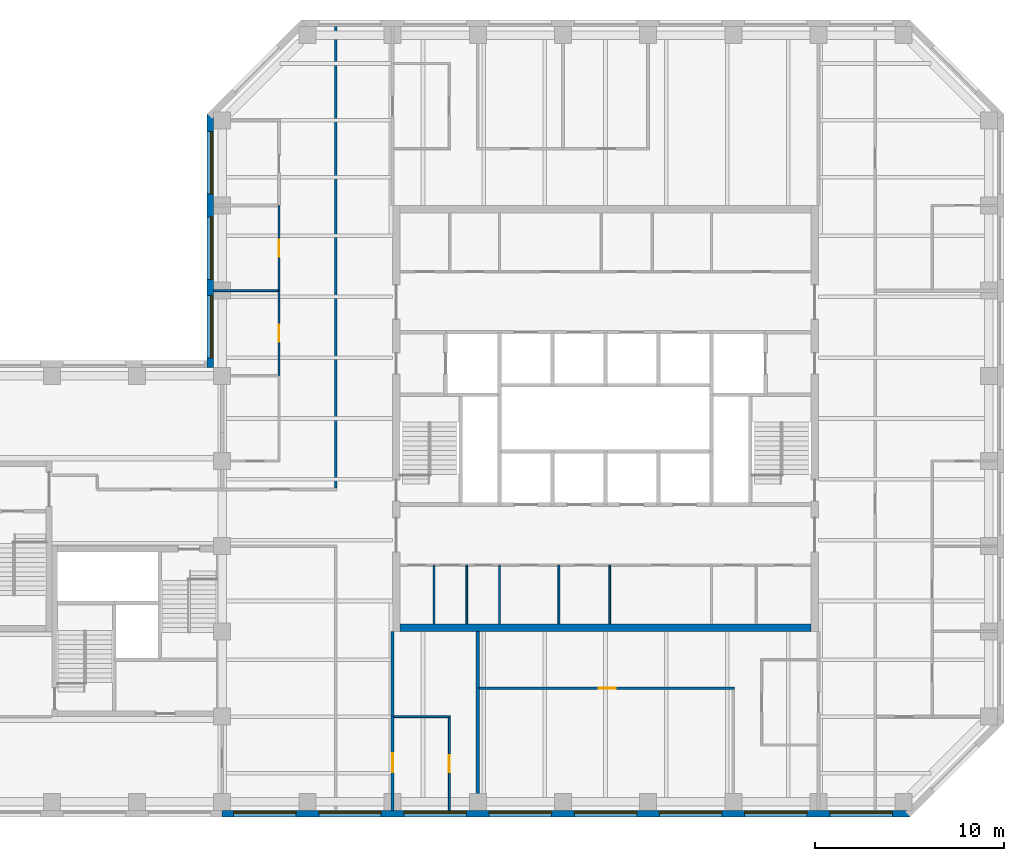
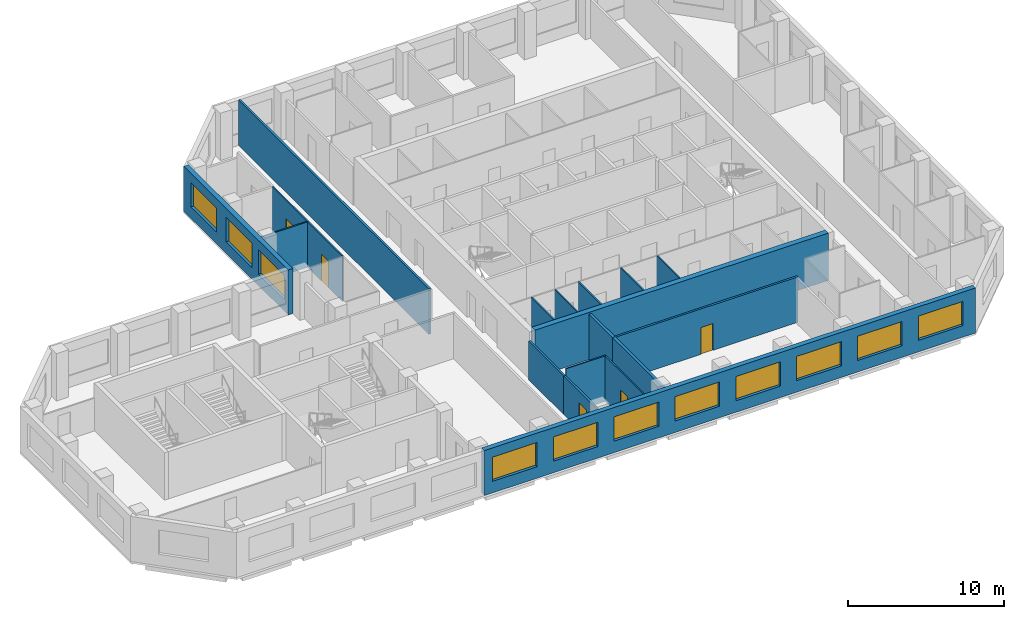
# One storey, part 4 of 10: 19 walls, 11 windows, 5 doors, 16 openings.
"""IFC4 building model written with IfcOpenShell, lengths in metres."""

import ifcopenshell
import ifcopenshell.guid

model = None  # the IFC model being written
_history = None  # IfcOwnerHistory: only IFC2X3 demands one
_inside = {}  # id of a spatial element -> (the spatial element, [elements in it])
_under = {}  # id of a project, library or spatial element -> (it, [spatial elements below it])
_declared = {}  # id of a project -> (the project, [libraries it declares])
_typed = {}  # id of a type object -> (the type object, [elements of that type])
_made_of = {}  # id of a material, layer set ... -> (it, [elements and type objects made of it])


def new_model(schema):
    """Start an empty IFC model of exactly this schema.

    Asked for "IFC4X3", IfcOpenShell would pick the latest addendum, in which some entities
    have other attributes; the version numbers below select the first issue.
    IFC2X3 requires an IfcOwnerHistory on every rooted entity: one is made here for all.
    """
    global model, _history
    if schema == "IFC4X3":
        model = ifcopenshell.file(schema_version=(4, 3, 0, 0))
    else:
        model = ifcopenshell.file(schema=schema)
    _inside.clear()
    _under.clear()
    _declared.clear()
    _typed.clear()
    _made_of.clear()
    _history = None
    if model.schema == "IFC2X3":
        org = make("IfcOrganization", Name="unknown")
        user = make(
            "IfcPersonAndOrganization",
            ThePerson=make("IfcPerson", FamilyName="unknown"),
            TheOrganization=org,
        )
        app = make(
            "IfcApplication",
            ApplicationDeveloper=org,
            Version="unknown",
            ApplicationFullName="unknown",
            ApplicationIdentifier="unknown",
        )
        _history = make(
            "IfcOwnerHistory",
            OwningUser=user,
            OwningApplication=app,
            ChangeAction="ADDED",
            CreationDate=0,
        )
    return model


def make(cls, **values):
    """One entity of the class cls with the attributes given. An attribute that is None is left unset."""
    return model.create_entity(
        cls, **{name: value for name, value in values.items() if value is not None}
    )


def rooted(cls, **values):
    """An entity with a GlobalId (a new one), such as an element, a storey or a relation."""
    return make(cls, GlobalId=ifcopenshell.guid.new(), OwnerHistory=_history, **values)


def si_unit(unit_type, name, prefix=None):
    """IfcSIUnit, for example si_unit("LENGTHUNIT", "METRE", prefix="MILLI")."""
    return make("IfcSIUnit", UnitType=unit_type, Prefix=prefix, Name=name)


def assignment(units):
    """IfcUnitAssignment: the units of a project."""
    return None if units is None else make("IfcUnitAssignment", Units=units)


def point(xyz):
    """IfcCartesianPoint."""
    return None if xyz is None else make("IfcCartesianPoint", Coordinates=xyz)


def direction(xyz):
    """IfcDirection."""
    return None if xyz is None else make("IfcDirection", DirectionRatios=xyz)


def frame(location, z_axis=None, x_axis=None):
    """IfcAxis2Placement3D, a coordinate frame: its origin and axes. An axis left out is left unset."""
    return make(
        "IfcAxis2Placement3D",
        Location=point(location),
        Axis=direction(z_axis),
        RefDirection=direction(x_axis),
    )


def frame_2d(location, x_axis=None):
    """IfcAxis2Placement2D, a coordinate frame in the plane: its origin and x axis."""
    return make(
        "IfcAxis2Placement2D", Location=point(location), RefDirection=direction(x_axis)
    )


def origin():
    """The frame at (0, 0, 0) with its axes left unset."""
    return frame((0.0, 0.0, 0.0))


def place(relative_to, where):
    """IfcLocalPlacement: puts the frame where relative to a parent placement (None: the world)."""
    return make(
        "IfcLocalPlacement", PlacementRelTo=relative_to, RelativePlacement=where
    )


def context(
    kind, dimensions, precision=None, world=None, true_north=None, identifier=None
):
    """IfcGeometricRepresentationContext, for example the 3D "Model" context."""
    return make(
        "IfcGeometricRepresentationContext",
        ContextIdentifier=identifier,
        ContextType=kind,
        CoordinateSpaceDimension=dimensions,
        Precision=precision,
        WorldCoordinateSystem=world,
        TrueNorth=true_north,
    )


def subcontext(parent, identifier, kind, view, scale=None):
    """IfcGeometricRepresentationSubContext, for example "Body" below "Model"."""
    return make(
        "IfcGeometricRepresentationSubContext",
        ContextIdentifier=identifier,
        ContextType=kind,
        ParentContext=parent,
        TargetScale=scale,
        TargetView=view,
    )


def project(units=None, contexts=None):
    """IfcProject with its units and contexts."""
    return rooted(
        "IfcProject",
        Name="project",
        RepresentationContexts=contexts,
        UnitsInContext=assignment(units),
    )


def spatial(cls, under=None, at=None, **own):
    """A site, building, storey or space (cls), placed at a placement, below another one or the project."""
    s = rooted(cls, ObjectPlacement=at, **own)
    if under is not None:
        _under.setdefault(under.id(), (under, []))[1].append(s)
    return s


def profile(cls, at=None, kind="AREA", **sizes):
    """A parametric profile (cls). Its sizes go by their IFC names, for example OverallWidth=200.0."""
    return make(cls, ProfileType=kind, Position=at, **sizes)


def rectangle(**sizes):
    """IfcRectangleProfileDef."""
    return profile("IfcRectangleProfileDef", **sizes)


def extrude(swept, where, along, depth):
    """IfcExtrudedAreaSolid: the profile swept, set in the frame where, extruded along a direction by depth."""
    return make(
        "IfcExtrudedAreaSolid",
        SweptArea=swept,
        Position=where,
        ExtrudedDirection=direction(along),
        Depth=depth,
    )


def shape(context_of_items, identifier, shape_type, items):
    """IfcShapeRepresentation: the items that make up one representation, for example the "Body"."""
    return make(
        "IfcShapeRepresentation",
        ContextOfItems=context_of_items,
        RepresentationIdentifier=identifier,
        RepresentationType=shape_type,
        Items=items,
    )


def material(Name=None, Category=None):
    """IfcMaterial."""
    return make("IfcMaterial", Name=Name, Category=Category)


def layer(
    of_material, thickness, ventilated=None, Name=None, Category=None, Priority=None
):
    """IfcMaterialLayer: one layer of a wall or slab, of a material (None: an air gap)."""
    return make(
        "IfcMaterialLayer",
        Material=of_material,
        LayerThickness=thickness,
        IsVentilated=ventilated,
        Name=Name,
        Category=Category,
        Priority=Priority,
    )


def layer_set(layers, Name=None):
    """IfcMaterialLayerSet."""
    return make("IfcMaterialLayerSet", MaterialLayers=layers, LayerSetName=Name)


def constituent(of_material, Name=None, Category=None, fraction=None):
    """IfcMaterialConstituent: one of the materials an element consists of."""
    return make(
        "IfcMaterialConstituent",
        Name=Name,
        Material=of_material,
        Fraction=fraction,
        Category=Category,
    )


def constituent_set(constituents=None, Name=None):
    """IfcMaterialConstituentSet."""
    return make(
        "IfcMaterialConstituentSet", Name=Name, MaterialConstituents=constituents
    )


def made_of(thing, what):
    """Note that an element or type object is made of a material, layer set ...; save() writes the relation."""
    if what is not None:
        _made_of.setdefault(what.id(), (what, []))[1].append(thing)
    return thing


def type_object(cls, material=None, **own):
    """A type object (cls), such as IfcWallType, which elements share."""
    return made_of(rooted(cls, **own), material)


def element(
    cls,
    number,
    at=None,
    inside=None,
    cuts=None,
    type_object=None,
    material=None,
    context=None,
    identifier="Body",
    shape_type=None,
    held_by="IfcProductDefinitionShape",
    body=None,
    shapes=None,
    **own,
):
    """One element of the class cls, such as IfcWall. Its Tag is "e" and its number.

    at: its placement. inside: the storey or other place that contains it. cuts: it is an
    opening in that element (IfcRelVoidsElement). A single representation is given by context,
    identifier, shape_type and body (its items); several are given by shapes. held_by: the class
    of the entity that holds the representations. save() writes the other relations.
    """
    e = rooted(cls, Tag="e%d" % number, ObjectPlacement=at, **own)
    if body is not None:
        shapes = [shape(context, identifier, shape_type, body)]
    if shapes is not None:
        e.Representation = make(held_by, Representations=shapes)
    if inside is not None:
        _inside.setdefault(inside.id(), (inside, []))[1].append(e)
    if cuts is not None:
        rooted(
            "IfcRelVoidsElement", RelatingBuildingElement=cuts, RelatedOpeningElement=e
        )
    if type_object is not None:
        _typed.setdefault(type_object.id(), (type_object, []))[1].append(e)
    return made_of(e, material)


def fill(opening, filler):
    """IfcRelFillsElement: the door or window that sits in an opening."""
    return rooted(
        "IfcRelFillsElement",
        RelatingOpeningElement=opening,
        RelatedBuildingElement=filler,
    )


def aggregate(whole, parts):
    """IfcRelAggregates: a whole, such as a stair, and the parts it consists of."""
    return rooted("IfcRelAggregates", RelatingObject=whole, RelatedObjects=parts)


def save(model, path):
    """Write the relations noted so far, then the file.

    IfcRelAggregates (storeys below a building ...), IfcRelContainedInSpatialStructure (elements
    in a storey), IfcRelDefinesByType, IfcRelAssociatesMaterial and IfcRelDeclares: one each for
    every whole, place, type object, material and project.
    """
    for whole, parts in _under.values():
        aggregate(whole, parts)
    for where, things in _inside.values():
        rooted(
            "IfcRelContainedInSpatialStructure",
            RelatedElements=things,
            RelatingStructure=where,
        )
    for kind, things in _typed.values():
        rooted("IfcRelDefinesByType", RelatedObjects=things, RelatingType=kind)
    for what, things in _made_of.values():
        rooted("IfcRelAssociatesMaterial", RelatedObjects=things, RelatingMaterial=what)
    for by, libraries in _declared.values():
        rooted("IfcRelDeclares", RelatingContext=by, RelatedDefinitions=libraries)
    model.write(path)


model = new_model("IFC4")

# Units and contexts
model_context = context("Model", 3, precision=1e-05, world=origin(), true_north=direction((0.0, 1.0)))
body_context = subcontext(model_context, "Body", "Model", "MODEL_VIEW")
ifc_project = project(units=[si_unit("LENGTHUNIT", "METRE"), si_unit("AREAUNIT", "SQUARE_METRE"), si_unit("VOLUMEUNIT", "CUBIC_METRE"), si_unit("PLANEANGLEUNIT", "RADIAN"), si_unit("MASSUNIT", "GRAM", prefix="KILO")], contexts=[model_context])

# Site, building, storey
site_placement = place(None, origin())
site = spatial("IfcSite", under=ifc_project, at=site_placement, CompositionType="ELEMENT")
building_placement = place(site_placement, origin())
building = spatial("IfcBuilding", under=site, at=building_placement, Name="Quoin Convention Tower", CompositionType="ELEMENT")
storey_placement = place(building_placement, frame((0.0, 0.0, 256.300048828125)))
storey = spatial("IfcBuildingStorey", under=building, at=storey_placement, Name="L67", CompositionType="ELEMENT", Elevation=256.300048828125)

# Wall, opening, door
ifc_material_1 = material(Name="Plasterboard")
ifc_layer_1 = layer(ifc_material_1, 0.012451171875, Name="Finish")
ifc_material_2 = material(Name="Steel stud framing", Category="steel")
ifc_layer_2 = layer(ifc_material_2, 0.125, Name="Structure")
ifc_layer_3 = layer(ifc_material_1, 0.012451171875, Name="Finish")
ifc_layer_set_1 = layer_set([ifc_layer_1, ifc_layer_2, ifc_layer_3], Name="Steel stud framing")
wall_type_1 = type_object("IfcWallType", Name="Acoustic partition 150", PredefinedType="PARTITIONING", material=ifc_layer_set_1)
wall_1_placement = place(storey_placement, frame((49.60009765625, 46.5, 0.0), z_axis=(0.0, 0.0, 1.0), x_axis=(1.0, 0.0, 0.0)))
wall_1 = element("IfcWall", 1, at=wall_1_placement, inside=storey, type_object=wall_type_1, Name="pw-L67-008", PredefinedType="PARTITIONING", context=body_context, shape_type="SweptSolid", body=[
    extrude(rectangle(XDim=13.474853515625, YDim=0.14990234375, at=frame_2d((6.7373046875, 0.0))), origin(), (0.0, 0.0, 1.0), 3.550048828125),
])
opening_1_placement = place(wall_1_placement, frame((6.300048828125, 0.0, 0.0)))
opening_1 = element("IfcOpeningElement", 2, at=opening_1_placement, cuts=wall_1, Name="Opening DOHX-02", PredefinedType="OPENING", context=body_context, shape_type="SweptSolid", body=[
    extrude(rectangle(XDim=0.89990234375, YDim=2.10009765625, at=frame_2d((0.449951171875, 1.050048828125))), frame((0.0, 0.0849609375, 0.0), z_axis=(0.0, -1.0, 0.0), x_axis=(1.0, 0.0, 0.0)), (0.0, 0.0, 1.0), 0.169921875),
])
ifc_material_3 = material(Name="Steel door leaf", Category="steel")
door_type_1 = type_object("IfcDoorType", Name="Office door 900 x 2100", OperationType="SINGLE_SWING_RIGHT", PredefinedType="DOOR", material=ifc_material_3)
door_1_placement = place(opening_1_placement, frame((0.89990234375, 0.0, 0.0), z_axis=(0.0, 0.0, 1.0), x_axis=(-1.0, 0.0, 0.0)))
door_1 = element("IfcDoor", 3, at=door_1_placement, inside=storey, type_object=door_type_1, Name="dr-L67-20", OperationType="SINGLE_SWING_LEFT", OverallHeight=2.10009765625, OverallWidth=0.89990234375, PredefinedType="DOOR", context=body_context, shape_type="SweptSolid", body=[
    extrude(rectangle(XDim=0.89990234375, YDim=2.10009765625, at=frame_2d((0.449951171875, 1.050048828125))), frame((0.0, 0.02490234375, 0.0), z_axis=(0.0, -1.0, 0.0), x_axis=(1.0, 0.0, 0.0)), (0.0, 0.0, 1.0), 0.050048828125),
])
fill(opening_1, door_1)

# Wall, openings, windows
ifc_material_4 = material(Name="Brick masonry", Category="masonry")
ifc_layer_4 = layer(ifc_material_4, 0.35009765625)
ifc_layer_set_2 = layer_set([ifc_layer_4], Name="Brick masonry")
wall_type_2 = type_object("IfcWallType", Name="Brick facade wall", PredefinedType="STANDARD", material=ifc_layer_set_2)
wall_2_placement = place(storey_placement, frame((36.0, 39.875, 0.0), z_axis=(0.0, 0.0, 1.0), x_axis=(1.0, 0.0, 0.0)))
wall_2 = element("IfcWall", 4, at=wall_2_placement, inside=storey, type_object=wall_type_2, Name="fw-L67-36000_40500", PredefinedType="STANDARD", context=body_context, shape_type="SweptSolid", body=[
    extrude(rectangle(XDim=36.331298828125, YDim=0.35009765625, at=frame_2d((18.16552734375, 0.0))), origin(), (0.0, 0.0, 1.0), 3.52490234375),
])
opening_2_placement = place(wall_2_placement, frame((0.60009765625, 0.0, 0.89990234375)))
opening_2 = element("IfcOpeningElement", 5, at=opening_2_placement, cuts=wall_2, Name="Opening W-02", PredefinedType="OPENING", context=body_context, shape_type="SweptSolid", body=[
    extrude(rectangle(XDim=3.300048828125, YDim=1.89990234375, at=frame_2d((1.64990234375, 0.949951171875))), frame((0.0, 0.18505859375, 0.0), z_axis=(0.0, -1.0, 0.0), x_axis=(1.0, 0.0, 0.0)), (0.0, 0.0, 1.0), 0.3701171875),
])
opening_3_placement = place(wall_2_placement, frame((5.10009765625, 0.0, 0.89990234375)))
opening_3 = element("IfcOpeningElement", 6, at=opening_3_placement, cuts=wall_2, Name="Opening W-02", PredefinedType="OPENING", context=body_context, shape_type="SweptSolid", body=[
    extrude(rectangle(XDim=3.300048828125, YDim=1.89990234375, at=frame_2d((1.64990234375, 0.949951171875))), frame((0.0, 0.18505859375, 0.0), z_axis=(0.0, -1.0, 0.0), x_axis=(1.0, 0.0, 0.0)), (0.0, 0.0, 1.0), 0.3701171875),
])
opening_4_placement = place(wall_2_placement, frame((9.60009765625, 0.0, 0.89990234375)))
opening_4 = element("IfcOpeningElement", 7, at=opening_4_placement, cuts=wall_2, Name="Opening W-02", PredefinedType="OPENING", context=body_context, shape_type="SweptSolid", body=[
    extrude(rectangle(XDim=3.300048828125, YDim=1.89990234375, at=frame_2d((1.64990234375, 0.949951171875))), frame((0.0, 0.18505859375, 0.0), z_axis=(0.0, -1.0, 0.0), x_axis=(1.0, 0.0, 0.0)), (0.0, 0.0, 1.0), 0.3701171875),
])
opening_5_placement = place(wall_2_placement, frame((14.10009765625, 0.0, 0.89990234375)))
opening_5 = element("IfcOpeningElement", 8, at=opening_5_placement, cuts=wall_2, Name="Opening W-02", PredefinedType="OPENING", context=body_context, shape_type="SweptSolid", body=[
    extrude(rectangle(XDim=3.300048828125, YDim=1.89990234375, at=frame_2d((1.64990234375, 0.949951171875))), frame((0.0, 0.18505859375, 0.0), z_axis=(0.0, -1.0, 0.0), x_axis=(1.0, 0.0, 0.0)), (0.0, 0.0, 1.0), 0.3701171875),
])
opening_6_placement = place(wall_2_placement, frame((18.60009765625, 0.0, 0.89990234375)))
opening_6 = element("IfcOpeningElement", 9, at=opening_6_placement, cuts=wall_2, Name="Opening W-02", PredefinedType="OPENING", context=body_context, shape_type="SweptSolid", body=[
    extrude(rectangle(XDim=3.300048828125, YDim=1.89990234375, at=frame_2d((1.64990234375, 0.949951171875))), frame((0.0, 0.18505859375, 0.0), z_axis=(0.0, -1.0, 0.0), x_axis=(1.0, 0.0, 0.0)), (0.0, 0.0, 1.0), 0.3701171875),
])
opening_7_placement = place(wall_2_placement, frame((23.10009765625, 0.0, 0.89990234375)))
opening_7 = element("IfcOpeningElement", 10, at=opening_7_placement, cuts=wall_2, Name="Opening W-02", PredefinedType="OPENING", context=body_context, shape_type="SweptSolid", body=[
    extrude(rectangle(XDim=3.300048828125, YDim=1.89990234375, at=frame_2d((1.64990234375, 0.949951171875))), frame((0.0, 0.18505859375, 0.0), z_axis=(0.0, -1.0, 0.0), x_axis=(1.0, 0.0, 0.0)), (0.0, 0.0, 1.0), 0.3701171875),
])
opening_8_placement = place(wall_2_placement, frame((27.60009765625, 0.0, 0.89990234375)))
opening_8 = element("IfcOpeningElement", 11, at=opening_8_placement, cuts=wall_2, Name="Opening W-02", PredefinedType="OPENING", context=body_context, shape_type="SweptSolid", body=[
    extrude(rectangle(XDim=3.300048828125, YDim=1.89990234375, at=frame_2d((1.64990234375, 0.949951171875))), frame((0.0, 0.18505859375, 0.0), z_axis=(0.0, -1.0, 0.0), x_axis=(1.0, 0.0, 0.0)), (0.0, 0.0, 1.0), 0.3701171875),
])
opening_9_placement = place(wall_2_placement, frame((32.10009765625, 0.0, 0.89990234375)))
opening_9 = element("IfcOpeningElement", 12, at=opening_9_placement, cuts=wall_2, Name="Opening W-02", PredefinedType="OPENING", context=body_context, shape_type="SweptSolid", body=[
    extrude(rectangle(XDim=3.300048828125, YDim=1.89990234375, at=frame_2d((1.64990234375, 0.949951171875))), frame((0.0, 0.18505859375, 0.0), z_axis=(0.0, -1.0, 0.0), x_axis=(1.0, 0.0, 0.0)), (0.0, 0.0, 1.0), 0.3701171875),
])
ifc_material_5 = material(Name="Aluminium", Category="aluminium")
ifc_constituent_1 = constituent(ifc_material_5, Name="Frame")
ifc_material_6 = material(Name="Insulated glass", Category="glass")
ifc_constituent_2 = constituent(ifc_material_6, Name="Glazing")
ifc_constituent_set = constituent_set(constituents=[ifc_constituent_1, ifc_constituent_2], Name="Aluminium")
window_type = type_object("IfcWindowType", Name="Office window", PartitioningType="DOUBLE_PANEL_VERTICAL", PredefinedType="WINDOW", material=ifc_constituent_set)
window_1_placement = place(opening_2_placement, origin())
window_1 = element("IfcWindow", 13, at=window_1_placement, inside=storey, type_object=window_type, Name="win-L67-38250_39875", OverallHeight=1.89990234375, OverallWidth=3.300048828125, PartitioningType="SINGLE_PANEL", PredefinedType="WINDOW", context=body_context, shape_type="SweptSolid", body=[
    extrude(rectangle(XDim=3.300048828125, YDim=1.89990234375, at=frame_2d((1.64990234375, 0.949951171875))), frame((0.0, 0.0849609375, 0.0), z_axis=(0.0, -1.0, 0.0), x_axis=(1.0, 0.0, 0.0)), (0.0, 0.0, 1.0), 0.06005859375),
])
fill(opening_2, window_1)
window_2_placement = place(opening_3_placement, origin())
window_2 = element("IfcWindow", 14, at=window_2_placement, inside=storey, type_object=window_type, Name="win-L67-42750_39875", OverallHeight=1.89990234375, OverallWidth=3.300048828125, PartitioningType="SINGLE_PANEL", PredefinedType="WINDOW", context=body_context, shape_type="SweptSolid", body=[
    extrude(rectangle(XDim=3.300048828125, YDim=1.89990234375, at=frame_2d((1.64990234375, 0.949951171875))), frame((0.0, 0.0849609375, 0.0), z_axis=(0.0, -1.0, 0.0), x_axis=(1.0, 0.0, 0.0)), (0.0, 0.0, 1.0), 0.06005859375),
])
fill(opening_3, window_2)
window_3_placement = place(opening_4_placement, origin())
window_3 = element("IfcWindow", 15, at=window_3_placement, inside=storey, type_object=window_type, Name="win-L67-47250_39875", OverallHeight=1.89990234375, OverallWidth=3.300048828125, PartitioningType="SINGLE_PANEL", PredefinedType="WINDOW", context=body_context, shape_type="SweptSolid", body=[
    extrude(rectangle(XDim=3.300048828125, YDim=1.89990234375, at=frame_2d((1.64990234375, 0.949951171875))), frame((0.0, 0.0849609375, 0.0), z_axis=(0.0, -1.0, 0.0), x_axis=(1.0, 0.0, 0.0)), (0.0, 0.0, 1.0), 0.06005859375),
])
fill(opening_4, window_3)
window_4_placement = place(opening_5_placement, origin())
window_4 = element("IfcWindow", 16, at=window_4_placement, inside=storey, type_object=window_type, Name="win-L67-51750_39875", OverallHeight=1.89990234375, OverallWidth=3.300048828125, PartitioningType="SINGLE_PANEL", PredefinedType="WINDOW", context=body_context, shape_type="SweptSolid", body=[
    extrude(rectangle(XDim=3.300048828125, YDim=1.89990234375, at=frame_2d((1.64990234375, 0.949951171875))), frame((0.0, 0.0849609375, 0.0), z_axis=(0.0, -1.0, 0.0), x_axis=(1.0, 0.0, 0.0)), (0.0, 0.0, 1.0), 0.06005859375),
])
fill(opening_5, window_4)
window_5_placement = place(opening_6_placement, origin())
window_5 = element("IfcWindow", 17, at=window_5_placement, inside=storey, type_object=window_type, Name="win-L67-56250_39875", OverallHeight=1.89990234375, OverallWidth=3.300048828125, PartitioningType="SINGLE_PANEL", PredefinedType="WINDOW", context=body_context, shape_type="SweptSolid", body=[
    extrude(rectangle(XDim=3.300048828125, YDim=1.89990234375, at=frame_2d((1.64990234375, 0.949951171875))), frame((0.0, 0.0849609375, 0.0), z_axis=(0.0, -1.0, 0.0), x_axis=(1.0, 0.0, 0.0)), (0.0, 0.0, 1.0), 0.06005859375),
])
fill(opening_6, window_5)
window_6_placement = place(opening_7_placement, origin())
window_6 = element("IfcWindow", 18, at=window_6_placement, inside=storey, type_object=window_type, Name="win-L67-60750_39875", OverallHeight=1.89990234375, OverallWidth=3.300048828125, PartitioningType="SINGLE_PANEL", PredefinedType="WINDOW", context=body_context, shape_type="SweptSolid", body=[
    extrude(rectangle(XDim=3.300048828125, YDim=1.89990234375, at=frame_2d((1.64990234375, 0.949951171875))), frame((0.0, 0.0849609375, 0.0), z_axis=(0.0, -1.0, 0.0), x_axis=(1.0, 0.0, 0.0)), (0.0, 0.0, 1.0), 0.06005859375),
])
fill(opening_7, window_6)
window_7_placement = place(opening_8_placement, origin())
window_7 = element("IfcWindow", 19, at=window_7_placement, inside=storey, type_object=window_type, Name="win-L67-65250_39875", OverallHeight=1.89990234375, OverallWidth=3.300048828125, PartitioningType="SINGLE_PANEL", PredefinedType="WINDOW", context=body_context, shape_type="SweptSolid", body=[
    extrude(rectangle(XDim=3.300048828125, YDim=1.89990234375, at=frame_2d((1.64990234375, 0.949951171875))), frame((0.0, 0.0849609375, 0.0), z_axis=(0.0, -1.0, 0.0), x_axis=(1.0, 0.0, 0.0)), (0.0, 0.0, 1.0), 0.06005859375),
])
fill(opening_8, window_7)
window_8_placement = place(opening_9_placement, origin())
window_8 = element("IfcWindow", 20, at=window_8_placement, inside=storey, type_object=window_type, Name="win-L67-69750_39875", OverallHeight=1.89990234375, OverallWidth=3.300048828125, PartitioningType="SINGLE_PANEL", PredefinedType="WINDOW", context=body_context, shape_type="SweptSolid", body=[
    extrude(rectangle(XDim=3.300048828125, YDim=1.89990234375, at=frame_2d((1.64990234375, 0.949951171875))), frame((0.0, 0.0849609375, 0.0), z_axis=(0.0, -1.0, 0.0), x_axis=(1.0, 0.0, 0.0)), (0.0, 0.0, 1.0), 0.06005859375),
])
fill(opening_9, window_8)

wall_3_placement = place(storey_placement, frame((35.375, 76.831298828125, 0.0), z_axis=(0.0, 0.0, 1.0), x_axis=(0.0, -1.0, 0.0)))
wall_3 = element("IfcWall", 21, at=wall_3_placement, inside=storey, type_object=wall_type_2, Name="fw-L67-36000_76500", PredefinedType="STANDARD", context=body_context, shape_type="SweptSolid", body=[
    extrude(rectangle(XDim=13.38134765625, YDim=0.35009765625, at=frame_2d((6.690673828125, 0.0))), origin(), (0.0, 0.0, 1.0), 3.52490234375),
])
opening_10_placement = place(wall_3_placement, frame((0.931396484375, 0.0, 0.89990234375)))
opening_10 = element("IfcOpeningElement", 22, at=opening_10_placement, cuts=wall_3, Name="Opening W-02", PredefinedType="OPENING", context=body_context, shape_type="SweptSolid", body=[
    extrude(rectangle(XDim=3.300048828125, YDim=1.89990234375, at=frame_2d((1.64990234375, 0.949951171875))), frame((0.0, 0.18505859375, 0.0), z_axis=(0.0, -1.0, 0.0), x_axis=(1.0, 0.0, 0.0)), (0.0, 0.0, 1.0), 0.3701171875),
])
opening_11_placement = place(wall_3_placement, frame((5.431396484375, 0.0, 0.89990234375)))
opening_11 = element("IfcOpeningElement", 23, at=opening_11_placement, cuts=wall_3, Name="Opening W-02", PredefinedType="OPENING", context=body_context, shape_type="SweptSolid", body=[
    extrude(rectangle(XDim=3.300048828125, YDim=1.89990234375, at=frame_2d((1.64990234375, 0.949951171875))), frame((0.0, 0.18505859375, 0.0), z_axis=(0.0, -1.0, 0.0), x_axis=(1.0, 0.0, 0.0)), (0.0, 0.0, 1.0), 0.3701171875),
])
opening_12_placement = place(wall_3_placement, frame((9.581298828125, 0.0, 0.89990234375)))
opening_12 = element("IfcOpeningElement", 24, at=opening_12_placement, cuts=wall_3, Name="Opening W-02", PredefinedType="OPENING", context=body_context, shape_type="SweptSolid", body=[
    extrude(rectangle(XDim=3.300048828125, YDim=1.89990234375, at=frame_2d((1.64990234375, 0.949951171875))), frame((0.0, 0.18505859375, 0.0), z_axis=(0.0, -1.0, 0.0), x_axis=(1.0, 0.0, 0.0)), (0.0, 0.0, 1.0), 0.3701171875),
])
window_9_placement = place(opening_10_placement, origin())
window_9 = element("IfcWindow", 25, at=window_9_placement, inside=storey, type_object=window_type, Name="win-L67-35375_74250", OverallHeight=1.89990234375, OverallWidth=3.300048828125, PartitioningType="SINGLE_PANEL", PredefinedType="WINDOW", context=body_context, shape_type="SweptSolid", body=[
    extrude(rectangle(XDim=3.300048828125, YDim=1.89990234375, at=frame_2d((1.64990234375, 0.949951171875))), frame((0.0, 0.0849609375, 0.0), z_axis=(0.0, -1.0, 0.0), x_axis=(1.0, 0.0, 0.0)), (0.0, 0.0, 1.0), 0.06005859375),
])
fill(opening_10, window_9)
window_10_placement = place(opening_11_placement, origin())
window_10 = element("IfcWindow", 26, at=window_10_placement, inside=storey, type_object=window_type, Name="win-L67-35375_69750", OverallHeight=1.89990234375, OverallWidth=3.300048828125, PartitioningType="SINGLE_PANEL", PredefinedType="WINDOW", context=body_context, shape_type="SweptSolid", body=[
    extrude(rectangle(XDim=3.300048828125, YDim=1.89990234375, at=frame_2d((1.64990234375, 0.949951171875))), frame((0.0, 0.0849609375, 0.0), z_axis=(0.0, -1.0, 0.0), x_axis=(1.0, 0.0, 0.0)), (0.0, 0.0, 1.0), 0.06005859375),
])
fill(opening_11, window_10)
window_11_placement = place(opening_12_placement, origin())
window_11 = element("IfcWindow", 27, at=window_11_placement, inside=storey, type_object=window_type, Name="win-L67-35375_65250", OverallHeight=1.89990234375, OverallWidth=3.300048828125, PartitioningType="SINGLE_PANEL", PredefinedType="WINDOW", context=body_context, shape_type="SweptSolid", body=[
    extrude(rectangle(XDim=3.300048828125, YDim=1.89990234375, at=frame_2d((1.64990234375, 0.949951171875))), frame((0.0, 0.0849609375, 0.0), z_axis=(0.0, -1.0, 0.0), x_axis=(1.0, 0.0, 0.0)), (0.0, 0.0, 1.0), 0.06005859375),
])
fill(opening_12, window_11)

# Walls
ifc_layer_5 = layer(ifc_material_1, 0.012451171875, Name="Finish")
ifc_layer_6 = layer(ifc_material_2, 0.074951171875, Name="Structure")
ifc_layer_7 = layer(ifc_material_1, 0.012451171875, Name="Finish")
ifc_layer_set_3 = layer_set([ifc_layer_5, ifc_layer_6, ifc_layer_7], Name="Steel stud framing")
wall_type_3 = type_object("IfcWallType", Name="Core partition wall", PredefinedType="PARTITIONING", material=ifc_layer_set_3)
for number, where, z_axis, x_axis, name in (
    (28, (47.18505859375, 49.89990234375, 0.0), (0.0, 0.0, 1.0), (0.0, 1.0, 0.0), "cr-C1-L67-v2185_400"),
    (29, (48.91748046875, 49.89990234375, 0.0), (0.0, 0.0, 1.0), (0.0, 1.0, 0.0), "cr-C1-L67-v3918_400"),
    (30, (50.64990234375, 49.89990234375, 0.0), (0.0, 0.0, 1.0), (0.0, 1.0, 0.0), "cr-C1-L67-v5650_400"),
    (31, (53.785888671875, 49.89990234375, 0.0), (0.0, 0.0, 1.0), (0.0, 1.0, 0.0), "cr-C1-L67-v8786_400"),
    (32, (56.47412109375, 49.89990234375, 0.0), (0.0, 0.0, 1.0), (0.0, 1.0, 0.0), "cr-C1-L67-v11474_400"),
):
    element("IfcWall", number, at=place(storey_placement, frame(where, z_axis=z_axis, x_axis=x_axis)), inside=storey, type_object=wall_type_3, Name=name, PredefinedType="PARTITIONING", context=body_context, shape_type="SweptSolid", body=[
        extrude(rectangle(XDim=3.10009765625, YDim=0.10009765625, at=frame_2d((1.550048828125, 0.0))), origin(), (0.0, 0.0, 1.0), 3.550048828125),
    ])
ifc_layer_8 = layer(ifc_material_1, 0.012451171875, Name="Finish")
ifc_layer_9 = layer(ifc_material_2, 0.125, Name="Structure")
ifc_layer_10 = layer(ifc_material_1, 0.012451171875, Name="Finish")
ifc_layer_set_4 = layer_set([ifc_layer_8, ifc_layer_9, ifc_layer_10], Name="Steel stud framing")
wall_type_4 = type_object("IfcWallType", Name="Corridor wall 150", PredefinedType="PARTITIONING", material=ifc_layer_set_4)
wall_4_placement = place(storey_placement, frame((42.0, 57.074951171875, 0.0), z_axis=(0.0, 0.0, 1.0), x_axis=(0.0, 1.0, 0.0)))
element("IfcWall", 33, at=wall_4_placement, inside=storey, type_object=wall_type_4, Name="pw-L67-060", PredefinedType="PARTITIONING", context=body_context, shape_type="SweptSolid", body=[
    extrude(rectangle(XDim=24.375, YDim=0.14990234375, at=frame_2d((12.1875, 0.0))), origin(), (0.0, 0.0, 1.0), 3.550048828125),
])

# Wall, opening, door
ifc_layer_11 = layer(ifc_material_1, 0.012451171875, Name="Finish")
ifc_layer_12 = layer(ifc_material_2, 0.125, Name="Structure")
ifc_layer_13 = layer(ifc_material_1, 0.012451171875, Name="Finish")
ifc_layer_set_5 = layer_set([ifc_layer_11, ifc_layer_12, ifc_layer_13], Name="Steel stud framing")
wall_type_5 = type_object("IfcWallType", Name="Corridor wall 150 under beam 528", PredefinedType="PARTITIONING", material=ifc_layer_set_5)
wall_5_placement = place(storey_placement, frame((45.0, 40.050048828125, 0.0), z_axis=(0.0, 0.0, 1.0), x_axis=(0.0, 1.0, 0.0)))
wall_5 = element("IfcWall", 34, at=wall_5_placement, inside=storey, type_object=wall_type_5, Name="pw-L67-036", PredefinedType="PARTITIONING", context=body_context, shape_type="SweptSolid", body=[
    extrude(rectangle(XDim=4.949951171875, YDim=0.14990234375, at=frame_2d((2.47509765625, 0.0))), origin(), (0.0, 0.0, 1.0), 3.02197265625),
])
opening_13_placement = place(wall_5_placement, frame((2.0, 0.0, 0.0)))
opening_13 = element("IfcOpeningElement", 35, at=opening_13_placement, cuts=wall_5, Name="Opening DOHX-10", PredefinedType="OPENING", context=body_context, shape_type="SweptSolid", body=[
    extrude(rectangle(XDim=1.0, YDim=2.10009765625, at=frame_2d((0.5, 1.050048828125))), frame((0.0, 0.0849609375, 0.0), z_axis=(0.0, -1.0, 0.0), x_axis=(1.0, 0.0, 0.0)), (0.0, 0.0, 1.0), 0.169921875),
])
door_type_2 = type_object("IfcDoorType", Name="Tenancy entrance door 1000 x 2100", OperationType="DOUBLE_DOOR_SINGLE_SWING", PredefinedType="DOOR", material=ifc_material_3)
door_2_placement = place(opening_13_placement, frame((1.0, 0.0, 0.0), z_axis=(0.0, 0.0, 1.0), x_axis=(-1.0, 0.0, 0.0)))
door_2 = element("IfcDoor", 36, at=door_2_placement, inside=storey, type_object=door_type_2, Name="dr-L67-16", OperationType="DOUBLE_DOOR_SINGLE_SWING", OverallHeight=2.10009765625, OverallWidth=1.0, PredefinedType="DOOR", context=body_context, shape_type="SweptSolid", body=[
    extrude(rectangle(XDim=1.0, YDim=2.10009765625, at=frame_2d((0.5, 1.050048828125))), frame((0.0, 0.02490234375, 0.0), z_axis=(0.0, -1.0, 0.0), x_axis=(1.0, 0.0, 0.0)), (0.0, 0.0, 1.0), 0.050048828125),
])
fill(opening_13, door_2)

# Walls
wall_6_placement = place(storey_placement, frame((45.0, 45.0, 0.0), z_axis=(0.0, 0.0, 1.0), x_axis=(0.0, 1.0, 0.0)))
element("IfcWall", 37, at=wall_6_placement, inside=storey, type_object=wall_type_5, Name="pw-L67-046", PredefinedType="PARTITIONING", context=body_context, shape_type="SweptSolid", body=[
    extrude(rectangle(XDim=4.5, YDim=0.14990234375, at=frame_2d((2.25, 0.0))), origin(), (0.0, 0.0, 1.0), 3.02197265625),
])
ifc_material_7 = material(Name="Concrete C50", Category="concrete")
ifc_layer_14 = layer(ifc_material_7, 0.39990234375)
ifc_layer_set_6 = layer_set([ifc_layer_14], Name="Concrete C50")
wall_type_6 = type_object("IfcWallType", Name="RC CORE WALL 400 C50", PredefinedType="SHEAR", material=ifc_layer_set_6)
wall_7_placement = place(storey_placement, frame((45.39990234375, 49.699951171875, 0.0), z_axis=(0.0, 0.0, 1.0), x_axis=(1.0, 0.0, 0.0)))
element("IfcWall", 38, at=wall_7_placement, inside=storey, type_object=wall_type_6, Name="cwl-C1-L67-S", PredefinedType="SHEAR", context=body_context, shape_type="SweptSolid", body=[
    extrude(rectangle(XDim=21.7001953125, YDim=0.39990234375, at=frame_2d((10.85009765625, 0.0))), origin(), (0.0, 0.0, 1.0), 3.699951171875),
])
ifc_layer_15 = layer(ifc_material_1, 0.012451171875, Name="Finish")
ifc_layer_16 = layer(ifc_material_2, 0.074951171875, Name="Structure")
ifc_layer_17 = layer(ifc_material_1, 0.012451171875, Name="Finish")
ifc_layer_set_7 = layer_set([ifc_layer_15, ifc_layer_16, ifc_layer_17], Name="Steel stud framing")
wall_type_7 = type_object("IfcWallType", Name="Stud partition 100", PredefinedType="PARTITIONING", material=ifc_layer_set_7)
wall_8_placement = place(storey_placement, frame((45.074951171875, 45.0, 0.0), z_axis=(0.0, 0.0, 1.0), x_axis=(1.0, 0.0, 0.0)))
element("IfcWall", 39, at=wall_8_placement, inside=storey, type_object=wall_type_7, Name="pw-L67-004", PredefinedType="PARTITIONING", context=body_context, shape_type="SweptSolid", body=[
    extrude(rectangle(XDim=2.97509765625, YDim=0.10009765625, at=frame_2d((1.487548828125, 0.0))), origin(), (0.0, 0.0, 1.0), 3.550048828125),
])
wall_9_placement = place(storey_placement, frame((35.550048828125, 67.5, 0.0), z_axis=(0.0, 0.0, 1.0), x_axis=(1.0, 0.0, 0.0)))
element("IfcWall", 40, at=wall_9_placement, inside=storey, type_object=wall_type_7, Name="pw-L67-024", PredefinedType="PARTITIONING", context=body_context, shape_type="SweptSolid", body=[
    extrude(rectangle(XDim=3.39990234375, YDim=0.10009765625, at=frame_2d((1.699951171875, 0.0))), origin(), (0.0, 0.0, 1.0), 3.550048828125),
])

# Wall, opening, door
wall_10_placement = place(storey_placement, frame((48.0, 40.050048828125, 0.0), z_axis=(0.0, 0.0, 1.0), x_axis=(0.0, 1.0, 0.0)))
wall_10 = element("IfcWall", 41, at=wall_10_placement, inside=storey, type_object=wall_type_7, Name="pw-L67-037", PredefinedType="PARTITIONING", context=body_context, shape_type="SweptSolid", body=[
    extrude(rectangle(XDim=4.89990234375, YDim=0.10009765625, at=frame_2d((2.449951171875, 0.0))), origin(), (0.0, 0.0, 1.0), 3.550048828125),
])
opening_14_placement = place(wall_10_placement, frame((2.0, 0.0, 0.0)))
opening_14 = element("IfcOpeningElement", 42, at=opening_14_placement, cuts=wall_10, Name="Opening DOHX-11", PredefinedType="OPENING", context=body_context, shape_type="SweptSolid", body=[
    extrude(rectangle(XDim=0.89990234375, YDim=2.10009765625, at=frame_2d((0.449951171875, 1.050048828125))), frame((0.0, 0.06005859375, 0.0), z_axis=(0.0, -1.0, 0.0), x_axis=(1.0, 0.0, 0.0)), (0.0, 0.0, 1.0), 0.1201171875),
])
door_3_placement = place(opening_14_placement, frame((0.89990234375, 0.0, 0.0), z_axis=(0.0, 0.0, 1.0), x_axis=(-1.0, 0.0, 0.0)))
door_3 = element("IfcDoor", 43, at=door_3_placement, inside=storey, type_object=door_type_1, Name="dr-L67-17", OperationType="SINGLE_SWING_LEFT", OverallHeight=2.10009765625, OverallWidth=0.89990234375, PredefinedType="DOOR", context=body_context, shape_type="SweptSolid", body=[
    extrude(rectangle(XDim=0.89990234375, YDim=2.10009765625, at=frame_2d((0.449951171875, 1.050048828125))), frame((0.0, 0.02490234375, 0.0), z_axis=(0.0, -1.0, 0.0), x_axis=(1.0, 0.0, 0.0)), (0.0, 0.0, 1.0), 0.050048828125),
])
fill(opening_14, door_3)

wall_11_placement = place(storey_placement, frame((39.0, 63.0, 0.0), z_axis=(0.0, 0.0, 1.0), x_axis=(0.0, 1.0, 0.0)))
wall_11 = element("IfcWall", 44, at=wall_11_placement, inside=storey, type_object=wall_type_7, Name="pw-L67-068", PredefinedType="PARTITIONING", context=body_context, shape_type="SweptSolid", body=[
    extrude(rectangle(XDim=4.5, YDim=0.10009765625, at=frame_2d((2.25, 0.0))), origin(), (0.0, 0.0, 1.0), 3.550048828125),
])
opening_15_placement = place(wall_11_placement, frame((1.800048828125, 0.0, 0.0)))
opening_15 = element("IfcOpeningElement", 45, at=opening_15_placement, cuts=wall_11, Name="Opening DOHX-18", PredefinedType="OPENING", context=body_context, shape_type="SweptSolid", body=[
    extrude(rectangle(XDim=0.89990234375, YDim=2.10009765625, at=frame_2d((0.449951171875, 1.050048828125))), frame((0.0, 0.06005859375, 0.0), z_axis=(0.0, -1.0, 0.0), x_axis=(1.0, 0.0, 0.0)), (0.0, 0.0, 1.0), 0.1201171875),
])
door_4_placement = place(opening_15_placement, frame((0.89990234375, 0.0, 0.0), z_axis=(0.0, 0.0, 1.0), x_axis=(-1.0, 0.0, 0.0)))
door_4 = element("IfcDoor", 46, at=door_4_placement, inside=storey, type_object=door_type_1, Name="dr-L67-13", OperationType="SINGLE_SWING_LEFT", OverallHeight=2.10009765625, OverallWidth=0.89990234375, PredefinedType="DOOR", context=body_context, shape_type="SweptSolid", body=[
    extrude(rectangle(XDim=0.89990234375, YDim=2.10009765625, at=frame_2d((0.449951171875, 1.050048828125))), frame((0.0, 0.02490234375, 0.0), z_axis=(0.0, -1.0, 0.0), x_axis=(1.0, 0.0, 0.0)), (0.0, 0.0, 1.0), 0.050048828125),
])
fill(opening_15, door_4)

wall_12_placement = place(storey_placement, frame((39.0, 67.5, 0.0), z_axis=(0.0, 0.0, 1.0), x_axis=(0.0, 1.0, 0.0)))
wall_12 = element("IfcWall", 47, at=wall_12_placement, inside=storey, type_object=wall_type_7, Name="pw-L67-069", PredefinedType="PARTITIONING", context=body_context, shape_type="SweptSolid", body=[
    extrude(rectangle(XDim=4.5, YDim=0.10009765625, at=frame_2d((2.25, 0.0))), origin(), (0.0, 0.0, 1.0), 3.550048828125),
])
opening_16_placement = place(wall_12_placement, frame((1.800048828125, 0.0, 0.0)))
opening_16 = element("IfcOpeningElement", 48, at=opening_16_placement, cuts=wall_12, Name="Opening DOHX-19", PredefinedType="OPENING", context=body_context, shape_type="SweptSolid", body=[
    extrude(rectangle(XDim=0.89990234375, YDim=2.10009765625, at=frame_2d((0.449951171875, 1.050048828125))), frame((0.0, 0.06005859375, 0.0), z_axis=(0.0, -1.0, 0.0), x_axis=(1.0, 0.0, 0.0)), (0.0, 0.0, 1.0), 0.1201171875),
])
door_5_placement = place(opening_16_placement, frame((0.89990234375, 0.0, 0.0), z_axis=(0.0, 0.0, 1.0), x_axis=(-1.0, 0.0, 0.0)))
door_5 = element("IfcDoor", 49, at=door_5_placement, inside=storey, type_object=door_type_1, Name="dr-L67-14", OperationType="SINGLE_SWING_LEFT", OverallHeight=2.10009765625, OverallWidth=0.89990234375, PredefinedType="DOOR", context=body_context, shape_type="SweptSolid", body=[
    extrude(rectangle(XDim=0.89990234375, YDim=2.10009765625, at=frame_2d((0.449951171875, 1.050048828125))), frame((0.0, 0.02490234375, 0.0), z_axis=(0.0, -1.0, 0.0), x_axis=(1.0, 0.0, 0.0)), (0.0, 0.0, 1.0), 0.050048828125),
])
fill(opening_16, door_5)

# Walls
ifc_layer_18 = layer(ifc_material_1, 0.012451171875, Name="Finish")
ifc_layer_19 = layer(ifc_material_2, 0.175048828125, Name="Structure")
ifc_layer_20 = layer(ifc_material_1, 0.012451171875, Name="Finish")
ifc_layer_set_8 = layer_set([ifc_layer_18, ifc_layer_19, ifc_layer_20], Name="Steel stud framing")
wall_type_8 = type_object("IfcWallType", Name="Tenancy demising wall 200", PredefinedType="PARTITIONING", material=ifc_layer_set_8)
wall_13_placement = place(storey_placement, frame((49.5, 40.050048828125, 0.0), z_axis=(0.0, 0.0, 1.0), x_axis=(0.0, 1.0, 0.0)))
element("IfcWall", 50, at=wall_13_placement, inside=storey, type_object=wall_type_8, Name="pw-L67-038", PredefinedType="PARTITIONING", context=body_context, shape_type="SweptSolid", body=[
    extrude(rectangle(XDim=6.449951171875, YDim=0.199951171875, at=frame_2d((3.22509765625, 0.0))), origin(), (0.0, 0.0, 1.0), 3.550048828125),
])
wall_14_placement = place(storey_placement, frame((49.5, 46.5, 0.0), z_axis=(0.0, 0.0, 1.0), x_axis=(0.0, 1.0, 0.0)))
element("IfcWall", 51, at=wall_14_placement, inside=storey, type_object=wall_type_8, Name="pw-L67-051", PredefinedType="PARTITIONING", context=body_context, shape_type="SweptSolid", body=[
    extrude(rectangle(XDim=3.0, YDim=0.199951171875, at=frame_2d((1.5, 0.0))), origin(), (0.0, 0.0, 1.0), 3.550048828125),
])

save(model, "model.ifc")
